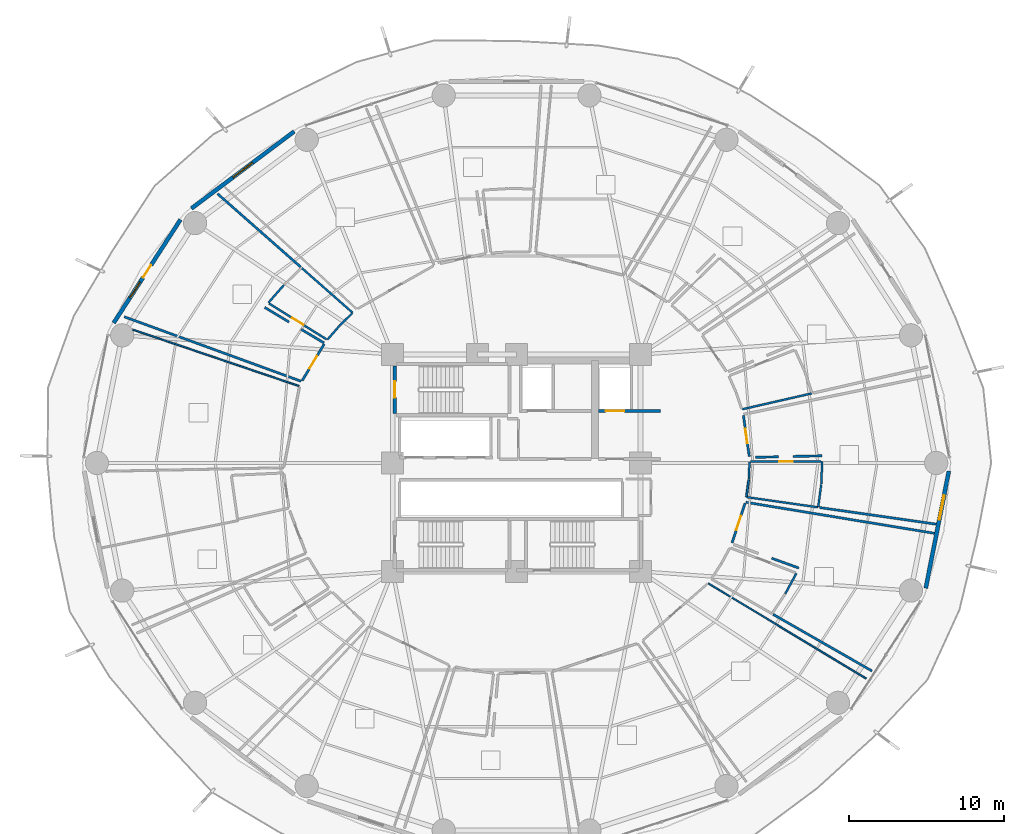
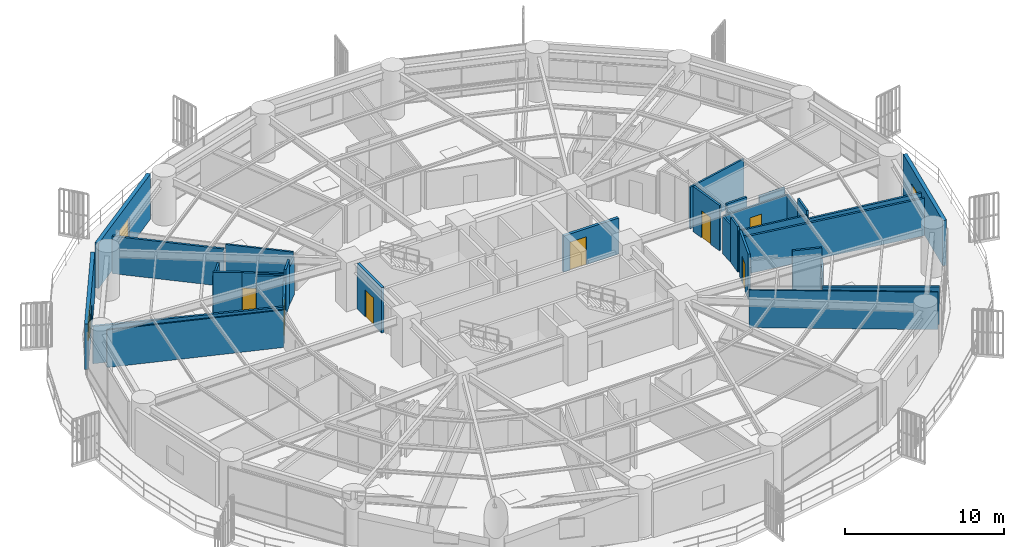
# One storey, part 26 of 34: 33 walls, 8 doors, 3 windows, 11 openings.
"""IFC4 building model written with IfcOpenShell, lengths in metres."""

import ifcopenshell
import ifcopenshell.guid

model = None  # the IFC model being written
_history = None  # IfcOwnerHistory: only IFC2X3 demands one
_inside = {}  # id of a spatial element -> (the spatial element, [elements in it])
_under = {}  # id of a project, library or spatial element -> (it, [spatial elements below it])
_declared = {}  # id of a project -> (the project, [libraries it declares])
_typed = {}  # id of a type object -> (the type object, [elements of that type])
_made_of = {}  # id of a material, layer set ... -> (it, [elements and type objects made of it])


def new_model(schema):
    """Start an empty IFC model of exactly this schema.

    Asked for "IFC4X3", IfcOpenShell would pick the latest addendum, in which some entities
    have other attributes; the version numbers below select the first issue.
    IFC2X3 requires an IfcOwnerHistory on every rooted entity: one is made here for all.
    """
    global model, _history
    if schema == "IFC4X3":
        model = ifcopenshell.file(schema_version=(4, 3, 0, 0))
    else:
        model = ifcopenshell.file(schema=schema)
    _inside.clear()
    _under.clear()
    _declared.clear()
    _typed.clear()
    _made_of.clear()
    _history = None
    if model.schema == "IFC2X3":
        org = make("IfcOrganization", Name="unknown")
        user = make(
            "IfcPersonAndOrganization",
            ThePerson=make("IfcPerson", FamilyName="unknown"),
            TheOrganization=org,
        )
        app = make(
            "IfcApplication",
            ApplicationDeveloper=org,
            Version="unknown",
            ApplicationFullName="unknown",
            ApplicationIdentifier="unknown",
        )
        _history = make(
            "IfcOwnerHistory",
            OwningUser=user,
            OwningApplication=app,
            ChangeAction="ADDED",
            CreationDate=0,
        )
    return model


def make(cls, **values):
    """One entity of the class cls with the attributes given. An attribute that is None is left unset."""
    return model.create_entity(
        cls, **{name: value for name, value in values.items() if value is not None}
    )


def rooted(cls, **values):
    """An entity with a GlobalId (a new one), such as an element, a storey or a relation."""
    return make(cls, GlobalId=ifcopenshell.guid.new(), OwnerHistory=_history, **values)


def si_unit(unit_type, name, prefix=None):
    """IfcSIUnit, for example si_unit("LENGTHUNIT", "METRE", prefix="MILLI")."""
    return make("IfcSIUnit", UnitType=unit_type, Prefix=prefix, Name=name)


def assignment(units):
    """IfcUnitAssignment: the units of a project."""
    return None if units is None else make("IfcUnitAssignment", Units=units)


def point(xyz):
    """IfcCartesianPoint."""
    return None if xyz is None else make("IfcCartesianPoint", Coordinates=xyz)


def direction(xyz):
    """IfcDirection."""
    return None if xyz is None else make("IfcDirection", DirectionRatios=xyz)


def frame(location, z_axis=None, x_axis=None):
    """IfcAxis2Placement3D, a coordinate frame: its origin and axes. An axis left out is left unset."""
    return make(
        "IfcAxis2Placement3D",
        Location=point(location),
        Axis=direction(z_axis),
        RefDirection=direction(x_axis),
    )


def frame_2d(location, x_axis=None):
    """IfcAxis2Placement2D, a coordinate frame in the plane: its origin and x axis."""
    return make(
        "IfcAxis2Placement2D", Location=point(location), RefDirection=direction(x_axis)
    )


def origin():
    """The frame at (0, 0, 0) with its axes left unset."""
    return frame((0.0, 0.0, 0.0))


def place(relative_to, where):
    """IfcLocalPlacement: puts the frame where relative to a parent placement (None: the world)."""
    return make(
        "IfcLocalPlacement", PlacementRelTo=relative_to, RelativePlacement=where
    )


def context(
    kind, dimensions, precision=None, world=None, true_north=None, identifier=None
):
    """IfcGeometricRepresentationContext, for example the 3D "Model" context."""
    return make(
        "IfcGeometricRepresentationContext",
        ContextIdentifier=identifier,
        ContextType=kind,
        CoordinateSpaceDimension=dimensions,
        Precision=precision,
        WorldCoordinateSystem=world,
        TrueNorth=true_north,
    )


def subcontext(parent, identifier, kind, view, scale=None):
    """IfcGeometricRepresentationSubContext, for example "Body" below "Model"."""
    return make(
        "IfcGeometricRepresentationSubContext",
        ContextIdentifier=identifier,
        ContextType=kind,
        ParentContext=parent,
        TargetScale=scale,
        TargetView=view,
    )


def project(units=None, contexts=None):
    """IfcProject with its units and contexts."""
    return rooted(
        "IfcProject",
        Name="project",
        RepresentationContexts=contexts,
        UnitsInContext=assignment(units),
    )


def spatial(cls, under=None, at=None, **own):
    """A site, building, storey or space (cls), placed at a placement, below another one or the project."""
    s = rooted(cls, ObjectPlacement=at, **own)
    if under is not None:
        _under.setdefault(under.id(), (under, []))[1].append(s)
    return s


def profile(cls, at=None, kind="AREA", **sizes):
    """A parametric profile (cls). Its sizes go by their IFC names, for example OverallWidth=200.0."""
    return make(cls, ProfileType=kind, Position=at, **sizes)


def rectangle(**sizes):
    """IfcRectangleProfileDef."""
    return profile("IfcRectangleProfileDef", **sizes)


def extrude(swept, where, along, depth):
    """IfcExtrudedAreaSolid: the profile swept, set in the frame where, extruded along a direction by depth."""
    return make(
        "IfcExtrudedAreaSolid",
        SweptArea=swept,
        Position=where,
        ExtrudedDirection=direction(along),
        Depth=depth,
    )


def shape(context_of_items, identifier, shape_type, items):
    """IfcShapeRepresentation: the items that make up one representation, for example the "Body"."""
    return make(
        "IfcShapeRepresentation",
        ContextOfItems=context_of_items,
        RepresentationIdentifier=identifier,
        RepresentationType=shape_type,
        Items=items,
    )


def material(Name=None, Category=None):
    """IfcMaterial."""
    return make("IfcMaterial", Name=Name, Category=Category)


def layer(
    of_material, thickness, ventilated=None, Name=None, Category=None, Priority=None
):
    """IfcMaterialLayer: one layer of a wall or slab, of a material (None: an air gap)."""
    return make(
        "IfcMaterialLayer",
        Material=of_material,
        LayerThickness=thickness,
        IsVentilated=ventilated,
        Name=Name,
        Category=Category,
        Priority=Priority,
    )


def layer_set(layers, Name=None):
    """IfcMaterialLayerSet."""
    return make("IfcMaterialLayerSet", MaterialLayers=layers, LayerSetName=Name)


def made_of(thing, what):
    """Note that an element or type object is made of a material, layer set ...; save() writes the relation."""
    if what is not None:
        _made_of.setdefault(what.id(), (what, []))[1].append(thing)
    return thing


def type_object(cls, material=None, **own):
    """A type object (cls), such as IfcWallType, which elements share."""
    return made_of(rooted(cls, **own), material)


def element(
    cls,
    number,
    at=None,
    inside=None,
    cuts=None,
    type_object=None,
    material=None,
    context=None,
    identifier="Body",
    shape_type=None,
    held_by="IfcProductDefinitionShape",
    body=None,
    shapes=None,
    **own,
):
    """One element of the class cls, such as IfcWall. Its Tag is "e" and its number.

    at: its placement. inside: the storey or other place that contains it. cuts: it is an
    opening in that element (IfcRelVoidsElement). A single representation is given by context,
    identifier, shape_type and body (its items); several are given by shapes. held_by: the class
    of the entity that holds the representations. save() writes the other relations.
    """
    e = rooted(cls, Tag="e%d" % number, ObjectPlacement=at, **own)
    if body is not None:
        shapes = [shape(context, identifier, shape_type, body)]
    if shapes is not None:
        e.Representation = make(held_by, Representations=shapes)
    if inside is not None:
        _inside.setdefault(inside.id(), (inside, []))[1].append(e)
    if cuts is not None:
        rooted(
            "IfcRelVoidsElement", RelatingBuildingElement=cuts, RelatedOpeningElement=e
        )
    if type_object is not None:
        _typed.setdefault(type_object.id(), (type_object, []))[1].append(e)
    return made_of(e, material)


def fill(opening, filler):
    """IfcRelFillsElement: the door or window that sits in an opening."""
    return rooted(
        "IfcRelFillsElement",
        RelatingOpeningElement=opening,
        RelatedBuildingElement=filler,
    )


def aggregate(whole, parts):
    """IfcRelAggregates: a whole, such as a stair, and the parts it consists of."""
    return rooted("IfcRelAggregates", RelatingObject=whole, RelatedObjects=parts)


def save(model, path):
    """Write the relations noted so far, then the file.

    IfcRelAggregates (storeys below a building ...), IfcRelContainedInSpatialStructure (elements
    in a storey), IfcRelDefinesByType, IfcRelAssociatesMaterial and IfcRelDeclares: one each for
    every whole, place, type object, material and project.
    """
    for whole, parts in _under.values():
        aggregate(whole, parts)
    for where, things in _inside.values():
        rooted(
            "IfcRelContainedInSpatialStructure",
            RelatedElements=things,
            RelatingStructure=where,
        )
    for kind, things in _typed.values():
        rooted("IfcRelDefinesByType", RelatedObjects=things, RelatingType=kind)
    for what, things in _made_of.values():
        rooted("IfcRelAssociatesMaterial", RelatedObjects=things, RelatingMaterial=what)
    for by, libraries in _declared.values():
        rooted("IfcRelDeclares", RelatingContext=by, RelatedDefinitions=libraries)
    model.write(path)


model = new_model("IFC4")

# Units and contexts
model_context = context("Model", 3, precision=1e-05, world=origin(), true_north=direction((0.0, 1.0)))
body_context = subcontext(model_context, "Body", "Model", "MODEL_VIEW")
ifc_project = project(units=[si_unit("LENGTHUNIT", "METRE"), si_unit("AREAUNIT", "SQUARE_METRE"), si_unit("VOLUMEUNIT", "CUBIC_METRE"), si_unit("PLANEANGLEUNIT", "RADIAN"), si_unit("MASSUNIT", "GRAM", prefix="KILO")], contexts=[model_context])

# Site, building, storey
site_placement = place(None, origin())
site = spatial("IfcSite", under=ifc_project, at=site_placement, CompositionType="ELEMENT")
building_placement = place(site_placement, origin())
building = spatial("IfcBuilding", under=site, at=building_placement, Name="Kelanora Arch Commons", CompositionType="ELEMENT")
storey_placement = place(building_placement, frame((0.0, 0.0, 33.75)))
storey = spatial("IfcBuildingStorey", under=building, at=storey_placement, Name="L08", CompositionType="ELEMENT", Elevation=33.75)

# Wall, opening, door
ifc_material_1 = material(Name="Autoclaved aerated concrete blockwork with fire plaster", Category="masonry")
ifc_layer_1 = layer(ifc_material_1, 0.14990234375)
ifc_layer_set_1 = layer_set([ifc_layer_1], Name="Autoclaved aerated concrete blockwork with fire plaster")
wall_type_1 = type_object("IfcWallType", Name="W-COMP-150", PredefinedType="PARTITIONING", material=ifc_layer_set_1)
wall_1_placement = place(storey_placement, frame((61.5830078125, 65.669677734375, 0.0), z_axis=(0.0, 0.0, 1.0), x_axis=(-0.515343511704, -0.85698370168, 0.0)))
wall_1 = element("IfcWall", 1, at=wall_1_placement, inside=storey, type_object=wall_type_1, Name="Co-Living Studio L08-06 Entry Partition", PredefinedType="PARTITIONING", context=body_context, shape_type="SweptSolid", body=[
    extrude(rectangle(XDim=2.751953125, YDim=0.14990234375, at=frame_2d((1.3759765625, 0.0))), origin(), (0.0, 0.0, 1.0), 2.875),
])
opening_1_placement = place(wall_1_placement, frame((0.90087890625, 0.0, 0.0)))
opening_1 = element("IfcOpeningElement", 2, at=opening_1_placement, cuts=wall_1, Name="Opening D-CLU1", PredefinedType="OPENING", context=body_context, shape_type="SweptSolid", body=[
    extrude(rectangle(XDim=0.949951171875, YDim=2.080078125, at=frame_2d((0.47509765625, 1.0400390625))), frame((0.0, 0.0849609375, 0.0), z_axis=(0.0, -1.0, 0.0), x_axis=(1.0, 0.0, 0.0)), (0.0, 0.0, 1.0), 0.169921875),
])
ifc_material_2 = material(Name="Solid-core acoustic timber cluster entry fire door", Category="wood")
door_type_1 = type_object("IfcDoorType", Name="D-CLU-95", OperationType="NOTDEFINED", PredefinedType="DOOR", material=ifc_material_2)
door_1_placement = place(opening_1_placement, origin())
door_1 = element("IfcDoor", 3, at=door_1_placement, inside=storey, type_object=door_type_1, Name="Co-Living Studio L08-06 Door", OperationType="SINGLE_SWING_LEFT", OverallHeight=2.080078125, OverallWidth=0.949951171875, PredefinedType="DOOR", context=body_context, shape_type="SweptSolid", body=[
    extrude(rectangle(XDim=0.949951171875, YDim=2.080078125, at=frame_2d((0.47509765625, 1.0400390625))), frame((0.0, 0.02490234375, 0.0), z_axis=(0.0, -1.0, 0.0), x_axis=(1.0, 0.0, 0.0)), (0.0, 0.0, 1.0), 0.050048828125),
])
fill(opening_1, door_1)

wall_2_placement = place(storey_placement, frame((87.90380859375, 52.840087890625, 0.0), z_axis=(0.0, 0.0, 1.0), x_axis=(0.312600839021, 0.949884580064, 0.0)))
wall_2 = element("IfcWall", 4, at=wall_2_placement, inside=storey, type_object=wall_type_1, Name="Co-Living Studio L08-14 Entry Partition", PredefinedType="PARTITIONING", context=body_context, shape_type="SweptSolid", body=[
    extrude(rectangle(XDim=2.707763671875, YDim=0.14990234375, at=frame_2d((1.35400390625, 0.0))), origin(), (0.0, 0.0, 1.0), 3.47998046875),
])
opening_2_placement = place(wall_2_placement, frame((0.87890625, 0.0, 0.0)))
opening_2 = element("IfcOpeningElement", 5, at=opening_2_placement, cuts=wall_2, Name="Opening D-CLU1", PredefinedType="OPENING", context=body_context, shape_type="SweptSolid", body=[
    extrude(rectangle(XDim=0.949951171875, YDim=2.080078125, at=frame_2d((0.47509765625, 1.0400390625))), frame((0.0, 0.0849609375, 0.0), z_axis=(0.0, -1.0, 0.0), x_axis=(1.0, 0.0, 0.0)), (0.0, 0.0, 1.0), 0.169921875),
])
door_2_placement = place(opening_2_placement, origin())
door_2 = element("IfcDoor", 6, at=door_2_placement, inside=storey, type_object=door_type_1, Name="Co-Living Studio L08-14 Door", OperationType="SINGLE_SWING_LEFT", OverallHeight=2.080078125, OverallWidth=0.949951171875, PredefinedType="DOOR", context=body_context, shape_type="SweptSolid", body=[
    extrude(rectangle(XDim=0.949951171875, YDim=2.080078125, at=frame_2d((0.47509765625, 1.0400390625))), frame((0.0, 0.02490234375, 0.0), z_axis=(0.0, -1.0, 0.0), x_axis=(1.0, 0.0, 0.0)), (0.0, 0.0, 1.0), 0.050048828125),
])
fill(opening_2, door_2)

wall_3_placement = place(storey_placement, frame((89.0166015625, 58.414306640625, 0.0), z_axis=(0.0, 0.0, 1.0), x_axis=(-0.141700939895, 0.989909512851, 0.0)))
wall_3 = element("IfcWall", 7, at=wall_3_placement, inside=storey, type_object=wall_type_1, Name="Co-Living Studio L08-15 Entry Partition", PredefinedType="PARTITIONING", context=body_context, shape_type="SweptSolid", body=[
    extrude(rectangle(XDim=2.689453125, YDim=0.14990234375, at=frame_2d((1.3447265625, 0.0))), origin(), (0.0, 0.0, 1.0), 3.47998046875),
])
opening_3_placement = place(wall_3_placement, frame((0.8701171875, 0.0, 0.0)))
opening_3 = element("IfcOpeningElement", 8, at=opening_3_placement, cuts=wall_3, Name="Opening D-CLU1", PredefinedType="OPENING", context=body_context, shape_type="SweptSolid", body=[
    extrude(rectangle(XDim=0.949951171875, YDim=2.080078125, at=frame_2d((0.47509765625, 1.0400390625))), frame((0.0, 0.0849609375, 0.0), z_axis=(0.0, -1.0, 0.0), x_axis=(1.0, 0.0, 0.0)), (0.0, 0.0, 1.0), 0.169921875),
])
door_3_placement = place(opening_3_placement, origin())
door_3 = element("IfcDoor", 9, at=door_3_placement, inside=storey, type_object=door_type_1, Name="Co-Living Studio L08-15 Door", OperationType="SINGLE_SWING_LEFT", OverallHeight=2.080078125, OverallWidth=0.949951171875, PredefinedType="DOOR", context=body_context, shape_type="SweptSolid", body=[
    extrude(rectangle(XDim=0.949951171875, YDim=2.080078125, at=frame_2d((0.47509765625, 1.0400390625))), frame((0.0, 0.02490234375, 0.0), z_axis=(0.0, -1.0, 0.0), x_axis=(1.0, 0.0, 0.0)), (0.0, 0.0, 1.0), 0.050048828125),
])
fill(opening_3, door_3)

# Walls
wall_4_placement = place(storey_placement, frame((60.096435546875, 63.273681640625, 0.0), z_axis=(0.0, 0.0, 1.0), x_axis=(-0.939512545551, 0.342514491304, 0.0)))
element("IfcWall", 10, at=wall_4_placement, inside=storey, type_object=wall_type_1, Name="Co-Living Studio L08-06 Enclosure Partition 2", PredefinedType="PARTITIONING", context=body_context, shape_type="SweptSolid", body=[
    extrude(rectangle(XDim=12.14453125, YDim=0.14990234375, at=frame_2d((6.072265625, 0.0))), origin(), (0.0, 0.0, 1.0), 2.875),
])
wall_5_placement = place(storey_placement, frame((54.700927734375, 75.37353515625, 0.0), z_axis=(0.0, 0.0, 1.0), x_axis=(0.750492781032, -0.660878646666, 0.0)))
element("IfcWall", 11, at=wall_5_placement, inside=storey, type_object=wall_type_1, Name="Co-Living Studio L08-06 Enclosure Partition 5", PredefinedType="PARTITIONING", context=body_context, shape_type="SweptSolid", body=[
    extrude(rectangle(XDim=7.154052734375, YDim=0.14990234375, at=frame_2d((3.5771484375, 0.0))), origin(), (0.0, 0.0, 1.0), 2.875),
])
wall_6_placement = place(storey_placement, frame((57.750244140625, 68.036376953125, 0.0), z_axis=(0.0, 0.0, 1.0), x_axis=(0.857787746423, -0.514004068161, 0.0)))
element("IfcWall", 12, at=wall_6_placement, inside=storey, type_object=wall_type_1, Name="Co-Living Studio L08-06 Enclosure Partition 7", PredefinedType="PARTITIONING", context=body_context, shape_type="SweptSolid", body=[
    extrude(rectangle(XDim=1.825927734375, YDim=0.14990234375, at=frame_2d((0.9130859375, 0.0))), origin(), (0.0, 0.0, 1.0), 3.47998046875),
])
wall_7_placement = place(storey_placement, frame((60.105712890625, 66.625, 0.0), z_axis=(0.0, 0.0, 1.0), x_axis=(0.8577560852, -0.514056901814, 0.0)))
element("IfcWall", 13, at=wall_7_placement, inside=storey, type_object=wall_type_1, Name="Co-Living Studio L08-06 Enclosure Partition 7", PredefinedType="PARTITIONING", context=body_context, shape_type="SweptSolid", body=[
    extrude(rectangle(XDim=1.71826171875, YDim=0.14990234375, at=frame_2d((0.859130859375, 0.0))), origin(), (0.0, 0.0, 1.0), 3.235107421875),
])
wall_8_placement = place(storey_placement, frame((88.80859375, 55.46240234375, 0.0), z_axis=(0.0, 0.0, 1.0), x_axis=(0.986716632482, -0.162450876217, 0.0)))
element("IfcWall", 14, at=wall_8_placement, inside=storey, type_object=wall_type_1, Name="Co-Living Studio L08-14 Enclosure Partition 2", PredefinedType="PARTITIONING", context=body_context, shape_type="SweptSolid", body=[
    extrude(rectangle(XDim=12.3173828125, YDim=0.14990234375, at=frame_2d((6.15869140625, 0.0))), origin(), (0.0, 0.0, 1.0), 2.875),
])
wall_9_placement = place(storey_placement, frame((96.933349609375, 44.579833984375, 0.0), z_axis=(0.0, 0.0, 1.0), x_axis=(-0.8678833592, 0.496768029188, 0.0)))
element("IfcWall", 15, at=wall_9_placement, inside=storey, type_object=wall_type_1, Name="Co-Living Studio L08-14 Enclosure Partition 5", PredefinedType="PARTITIONING", context=body_context, shape_type="SweptSolid", body=[
    extrude(rectangle(XDim=7.354248046875, YDim=0.14990234375, at=frame_2d((3.67724609375, 0.0))), origin(), (0.0, 0.0, 1.0), 2.875),
])
wall_10_placement = place(storey_placement, frame((92.218505859375, 51.218505859375, 0.0), z_axis=(0.0, 0.0, 1.0), x_axis=(-0.940607228955, 0.339496746433, 0.0)))
element("IfcWall", 16, at=wall_10_placement, inside=storey, type_object=wall_type_1, Name="Co-Living Studio L08-14 Enclosure Partition 7", PredefinedType="PARTITIONING", context=body_context, shape_type="SweptSolid", body=[
    extrude(rectangle(XDim=1.868408203125, YDim=0.14990234375, at=frame_2d((0.93408203125, 0.0))), origin(), (0.0, 0.0, 1.0), 3.47998046875),
])
wall_11_placement = place(storey_placement, frame((101.079345703125, 54.0498046875, 0.0), z_axis=(0.0, 0.0, 1.0), x_axis=(-0.989977686675, 0.141223864432, 0.0)))
element("IfcWall", 17, at=wall_11_placement, inside=storey, type_object=wall_type_1, Name="Co-Living Studio L08-15 Enclosure Partition 5", PredefinedType="PARTITIONING", context=body_context, shape_type="SweptSolid", body=[
    extrude(rectangle(XDim=7.615234375, YDim=0.14990234375, at=frame_2d((3.8076171875, 0.0))), origin(), (0.0, 0.0, 1.0), 2.875),
])
wall_12_placement = place(storey_placement, frame((93.714111328125, 58.462158203125, 0.0), z_axis=(0.0, 0.0, 1.0), x_axis=(-0.999738877823, -0.02285117435, 0.0)))
element("IfcWall", 18, at=wall_12_placement, inside=storey, type_object=wall_type_1, Name="Co-Living Studio L08-15 Enclosure Partition 7", PredefinedType="PARTITIONING", context=body_context, shape_type="SweptSolid", body=[
    extrude(rectangle(XDim=1.88037109375, YDim=0.14990234375, at=frame_2d((0.940185546875, 0.0))), origin(), (0.0, 0.0, 1.0), 3.175048828125),
])
wall_13_placement = place(storey_placement, frame((90.914306640625, 58.398193359375, 0.0), z_axis=(0.0, 0.0, 1.0), x_axis=(-0.999738792571, -0.022854903814, 0.0)))
element("IfcWall", 19, at=wall_13_placement, inside=storey, type_object=wall_type_1, Name="Co-Living Studio L08-15 Enclosure Partition 7", PredefinedType="PARTITIONING", context=body_context, shape_type="SweptSolid", body=[
    extrude(rectangle(XDim=1.49560546875, YDim=0.14990234375, at=frame_2d((0.747802734375, 0.0))), origin(), (0.0, 0.0, 1.0), 3.47998046875),
])

# Wall, opening, window
ifc_material_3 = material(Name="Precast concrete C40/50 with terracotta rainscreen", Category="masonry")
ifc_layer_2 = layer(ifc_material_3, 0.260009765625)
ifc_layer_set_2 = layer_set([ifc_layer_2], Name="Precast concrete C40/50 with terracotta rainscreen")
wall_type_2 = type_object("IfcWallType", Name="W-EXT-TC", PredefinedType="SOLIDWALL", material=ifc_layer_set_2)
wall_14_placement = place(storey_placement, frame((59.651123046875, 79.38916015625, 0.0), z_axis=(0.0, 0.0, 1.0), x_axis=(-0.80030733173, -0.599590005569, 0.0)))
wall_14 = element("IfcWall", 20, at=wall_14_placement, inside=storey, type_object=wall_type_2, Name="Terracotta Exterior Wall L08-B06", PredefinedType="SOLIDWALL", context=body_context, shape_type="SweptSolid", body=[
    extrude(rectangle(XDim=8.29052734375, YDim=0.260009765625, at=frame_2d((4.145263671875, 0.0))), origin(), (0.0, 0.0, 1.0), 3.47509765625),
])
opening_4_placement = place(wall_14_placement, frame((3.344970703125, 0.0, 0.85009765625)))
opening_4 = element("IfcOpeningElement", 21, at=opening_4_placement, cuts=wall_14, Name="Opening WN-01", PredefinedType="OPENING", context=body_context, shape_type="SweptSolid", body=[
    extrude(rectangle(XDim=1.60009765625, YDim=1.449951171875, at=frame_2d((0.800048828125, 0.72509765625))), frame((0.0, 0.14013671875, 0.0), z_axis=(0.0, -1.0, 0.0), x_axis=(1.0, 0.0, 0.0)), (0.0, 0.0, 1.0), 0.280029296875),
])
ifc_material_4 = material(Name="Terracotta-anodised aluminium frame with operable low-E glazing", Category="masonry")
window_type_1 = type_object("IfcWindowType", Name="WIN-CL-18", PartitioningType="DOUBLE_PANEL_VERTICAL", PredefinedType="WINDOW", material=ifc_material_4)
window_1_placement = place(opening_4_placement, origin())
window_1 = element("IfcWindow", 22, at=window_1_placement, inside=storey, type_object=window_type_1, Name="Co-Living Operable Window L08-B06", OverallHeight=1.449951171875, OverallWidth=1.60009765625, PartitioningType="SINGLE_PANEL", PredefinedType="WINDOW", context=body_context, shape_type="SweptSolid", body=[
    extrude(rectangle(XDim=1.60009765625, YDim=1.449951171875, at=frame_2d((0.800048828125, 0.72509765625))), frame((0.0, 0.030029296875, 0.0), z_axis=(0.0, -1.0, 0.0), x_axis=(1.0, 0.0, 0.0)), (0.0, 0.0, 1.0), 0.06005859375),
])
fill(opening_4, window_1)

# Wall, openings, door, window
wall_15_placement = place(storey_placement, frame((52.310791015625, 73.698486328125, 0.0), z_axis=(0.0, 0.0, 1.0), x_axis=(-0.543005114258, -0.839729388488, 0.0)))
wall_15 = element("IfcWall", 23, at=wall_15_placement, inside=storey, type_object=wall_type_2, Name="Terracotta Exterior Wall L08-B07", PredefinedType="SOLIDWALL", context=body_context, shape_type="SweptSolid", body=[
    extrude(rectangle(XDim=7.9375, YDim=0.260009765625, at=frame_2d((3.96875, 0.0))), origin(), (0.0, 0.0, 1.0), 3.47509765625),
])
opening_5_placement = place(wall_15_placement, frame((3.493896484375, 0.0, 0.0)))
opening_5 = element("IfcOpeningElement", 24, at=opening_5_placement, cuts=wall_15, Name="Opening DB-01", PredefinedType="OPENING", context=body_context, shape_type="SweptSolid", body=[
    extrude(rectangle(XDim=0.949951171875, YDim=2.10009765625, at=frame_2d((0.47509765625, 1.050048828125))), frame((0.0, 0.14013671875, 0.0), z_axis=(0.0, -1.0, 0.0), x_axis=(1.0, 0.0, 0.0)), (0.0, 0.0, 1.0), 0.280029296875),
])
opening_6_placement = place(wall_15_placement, frame((4.7939453125, 0.0, 0.85009765625)))
opening_6 = element("IfcOpeningElement", 25, at=opening_6_placement, cuts=wall_15, Name="Opening WN-02", PredefinedType="OPENING", context=body_context, shape_type="SweptSolid", body=[
    extrude(rectangle(XDim=1.199951171875, YDim=1.449951171875, at=frame_2d((0.60009765625, 0.72509765625))), frame((0.0, 0.14013671875, 0.0), z_axis=(0.0, -1.0, 0.0), x_axis=(1.0, 0.0, 0.0)), (0.0, 0.0, 1.0), 0.280029296875),
])
ifc_material_5 = material(Name="Terracotta-aluminium thermally broken glazed balcony door", Category="masonry")
door_type_2 = type_object("IfcDoorType", Name="D-BAL-10", OperationType="NOTDEFINED", PredefinedType="DOOR", material=ifc_material_5)
door_4_placement = place(opening_5_placement, frame((0.949951171875, 0.0, 0.0), z_axis=(0.0, 0.0, 1.0), x_axis=(-1.0, 0.0, 0.0)))
door_4 = element("IfcDoor", 26, at=door_4_placement, inside=storey, type_object=door_type_2, Name="Wave Balcony Door L08-B07", OperationType="SINGLE_SWING_RIGHT", OverallHeight=2.10009765625, OverallWidth=0.949951171875, PredefinedType="DOOR", context=body_context, shape_type="SweptSolid", body=[
    extrude(rectangle(XDim=0.949951171875, YDim=2.10009765625, at=frame_2d((0.47509765625, 1.050048828125))), frame((0.0, 0.02490234375, 0.0), z_axis=(0.0, -1.0, 0.0), x_axis=(1.0, 0.0, 0.0)), (0.0, 0.0, 1.0), 0.050048828125),
])
fill(opening_5, door_4)
ifc_material_6 = material(Name="Terracotta-anodised aluminium frame with operable awning sash", Category="masonry")
window_type_2 = type_object("IfcWindowType", Name="WIN-CL-12", PartitioningType="SINGLE_PANEL", PredefinedType="WINDOW", material=ifc_material_6)
window_2_placement = place(opening_6_placement, origin())
window_2 = element("IfcWindow", 27, at=window_2_placement, inside=storey, type_object=window_type_2, Name="Co-Living Operable Window L08-B07", OverallHeight=1.449951171875, OverallWidth=1.199951171875, PartitioningType="SINGLE_PANEL", PredefinedType="WINDOW", context=body_context, shape_type="SweptSolid", body=[
    extrude(rectangle(XDim=1.199951171875, YDim=1.449951171875, at=frame_2d((0.60009765625, 0.72509765625))), frame((0.0, 0.030029296875, 0.0), z_axis=(0.0, -1.0, 0.0), x_axis=(1.0, 0.0, 0.0)), (0.0, 0.0, 1.0), 0.06005859375),
])
fill(opening_6, window_2)

# Wall, opening, window
wall_16_placement = place(storey_placement, frame((100.404296875, 49.919921875, 0.0), z_axis=(0.0, 0.0, 1.0), x_axis=(0.193726159581, 0.98105564322, 0.0)))
wall_16 = element("IfcWall", 28, at=wall_16_placement, inside=storey, type_object=wall_type_2, Name="Terracotta Exterior Wall L08-B17", PredefinedType="SOLIDWALL", context=body_context, shape_type="SweptSolid", body=[
    extrude(rectangle(XDim=7.70263671875, YDim=0.260009765625, at=frame_2d((3.851318359375, 0.0))), origin(), (0.0, 0.0, 1.0), 3.47509765625),
])
opening_7_placement = place(wall_16_placement, frame((4.490966796875, 0.0, 0.85009765625)))
opening_7 = element("IfcOpeningElement", 29, at=opening_7_placement, cuts=wall_16, Name="Opening WN-01", PredefinedType="OPENING", context=body_context, shape_type="SweptSolid", body=[
    extrude(rectangle(XDim=1.60009765625, YDim=1.449951171875, at=frame_2d((0.800048828125, 0.72509765625))), frame((0.0, 0.14013671875, 0.0), z_axis=(0.0, -1.0, 0.0), x_axis=(1.0, 0.0, 0.0)), (0.0, 0.0, 1.0), 0.280029296875),
])
window_3_placement = place(opening_7_placement, origin())
window_3 = element("IfcWindow", 30, at=window_3_placement, inside=storey, type_object=window_type_1, Name="Co-Living Operable Window L08-B17", OverallHeight=1.449951171875, OverallWidth=1.60009765625, PartitioningType="SINGLE_PANEL", PredefinedType="WINDOW", context=body_context, shape_type="SweptSolid", body=[
    extrude(rectangle(XDim=1.60009765625, YDim=1.449951171875, at=frame_2d((0.800048828125, 0.72509765625))), frame((0.0, 0.030029296875, 0.0), z_axis=(0.0, -1.0, 0.0), x_axis=(1.0, 0.0, 0.0)), (0.0, 0.0, 1.0), 0.06005859375),
])
fill(opening_7, window_3)

# Wall, opening, door
ifc_material_7 = material(Name="Concrete C40/50", Category="concrete")
ifc_layer_3 = layer(ifc_material_7, 0.199951171875)
ifc_layer_set_3 = layer_set([ifc_layer_3], Name="Concrete C40/50")
wall_type_3 = type_object("IfcWallType", Name="W-FFL-200", PredefinedType="SOLIDWALL", material=ifc_layer_set_3)
wall_17_placement = place(storey_placement, frame((79.300048828125, 61.35009765625, 0.0), z_axis=(0.0, 0.0, 1.0), x_axis=(1.0, 0.0, 0.0)))
wall_17 = element("IfcWall", 31, at=wall_17_placement, inside=storey, type_object=wall_type_3, Name="Firefighting Lift 2 Shaft Front L08", PredefinedType="SOLIDWALL", context=body_context, shape_type="SweptSolid", body=[
    extrude(rectangle(XDim=4.0, YDim=0.199951171875, at=frame_2d((2.0, 0.0))), origin(), (0.0, 0.0, 1.0), 2.77490234375),
])
opening_8_placement = place(wall_17_placement, frame((0.449951171875, 0.0, 0.0)))
opening_8 = element("IfcOpeningElement", 32, at=opening_8_placement, cuts=wall_17, Name="Opening LD-FF", PredefinedType="OPENING", context=body_context, shape_type="SweptSolid", body=[
    extrude(rectangle(XDim=1.199951171875, YDim=2.14990234375, at=frame_2d((0.60009765625, 1.074951171875))), frame((0.0, 0.10986328125, 0.0), z_axis=(0.0, -1.0, 0.0), x_axis=(1.0, 0.0, 0.0)), (0.0, 0.0, 1.0), 0.219970703125),
])
ifc_material_8 = material(Name="Fire-rated firefighters lift sliding landing door")
door_type_3 = type_object("IfcDoorType", Name="D-LIFT-FF", OperationType="NOTDEFINED", PredefinedType="DOOR", material=ifc_material_8)
door_5_placement = place(opening_8_placement, origin())
door_5 = element("IfcDoor", 33, at=door_5_placement, inside=storey, type_object=door_type_3, Name="Firefighting Lift LF-FF2 Landing Door L08", OperationType="DOUBLE_DOOR_SLIDING", OverallHeight=2.14990234375, OverallWidth=1.199951171875, PredefinedType="DOOR", context=body_context, shape_type="SweptSolid", body=[
    extrude(rectangle(XDim=1.199951171875, YDim=2.14990234375, at=frame_2d((0.60009765625, 1.074951171875))), frame((0.0, 0.02490234375, 0.0), z_axis=(0.0, -1.0, 0.0), x_axis=(1.0, 0.0, 0.0)), (0.0, 0.0, 1.0), 0.050048828125),
])
fill(opening_8, door_5)

# Walls
ifc_material_9 = material(Name="Lightweight fire-rated acoustic stud partition")
ifc_layer_4 = layer(ifc_material_9, 0.10009765625)
ifc_layer_set_4 = layer_set([ifc_layer_4], Name="Lightweight fire-rated acoustic stud partition")
wall_type_4 = type_object("IfcWallType", Name="W-PART-100", PredefinedType="PARTITIONING", material=ifc_layer_set_4)
wall_18_placement = place(storey_placement, frame((49.23291015625, 66.60791015625, 0.0), z_axis=(0.0, 0.0, 1.0), x_axis=(0.946848647549, -0.321679403499, 0.0)))
element("IfcWall", 34, at=wall_18_placement, inside=storey, type_object=wall_type_4, Name="Quiet Seminar Study Room L08-07 Enclosure Partition 4", PredefinedType="PARTITIONING", context=body_context, shape_type="SweptSolid", body=[
    extrude(rectangle(XDim=11.328125, YDim=0.10009765625, at=frame_2d((5.6640625, 0.0))), origin(), (0.0, 0.0, 1.0), 2.875),
])
wall_19_placement = place(storey_placement, frame((86.39111328125, 50.22021484375, 0.0), z_axis=(0.0, 0.0, 1.0), x_axis=(0.856195030458, -0.516652755551, 0.0)))
element("IfcWall", 35, at=wall_19_placement, inside=storey, type_object=wall_type_4, Name="Quiet Seminar Study Room L08-13 Enclosure Partition 2", PredefinedType="PARTITIONING", context=body_context, shape_type="SweptSolid", body=[
    extrude(rectangle(XDim=11.87548828125, YDim=0.10009765625, at=frame_2d((5.937744140625, 0.0))), origin(), (0.0, 0.0, 1.0), 2.875),
])

# Wall, opening, door
ifc_layer_5 = layer(ifc_material_7, 0.199951171875)
ifc_layer_set_5 = layer_set([ifc_layer_5], Name="Concrete C40/50")
wall_type_5 = type_object("IfcWallType", Name="W-STAIR-200", PredefinedType="SHEAR", material=ifc_layer_set_5)
wall_20_placement = place(storey_placement, frame((66.139892578125, 64.27001953125, 0.0), z_axis=(0.0, 0.0, 1.0), x_axis=(0.0, -1.0, 0.0)))
wall_20 = element("IfcWall", 36, at=wall_20_placement, inside=storey, type_object=wall_type_5, Name="Stair ST-T1 Shaft Wall W L08", PredefinedType="SHEAR", context=body_context, shape_type="SweptSolid", body=[
    extrude(rectangle(XDim=3.070068359375, YDim=0.199951171875, at=frame_2d((1.53515625, 0.0))), origin(), (0.0, 0.0, 1.0), 3.489990234375),
])
opening_9_placement = place(wall_20_placement, frame((1.010009765625, 0.0, 0.0)))
opening_9 = element("IfcOpeningElement", 37, at=opening_9_placement, cuts=wall_20, Name="Opening D-ST1", PredefinedType="OPENING", context=body_context, shape_type="SweptSolid", body=[
    extrude(rectangle(XDim=1.050048828125, YDim=2.10009765625, at=frame_2d((0.52490234375, 1.050048828125))), frame((0.0, 0.10986328125, 0.0), z_axis=(0.0, -1.0, 0.0), x_axis=(1.0, 0.0, 0.0)), (0.0, 0.0, 1.0), 0.219970703125),
])
ifc_material_10 = material(Name="Steel fire-rated stairwell escape door", Category="steel")
door_type_4 = type_object("IfcDoorType", Name="D-STAIR-110", OperationType="NOTDEFINED", PredefinedType="DOOR", material=ifc_material_10)
door_6_placement = place(opening_9_placement, origin())
door_6 = element("IfcDoor", 38, at=door_6_placement, inside=storey, type_object=door_type_4, Name="Stair ST-T1 Escape Door L08", OperationType="SINGLE_SWING_LEFT", OverallHeight=2.10009765625, OverallWidth=1.050048828125, PredefinedType="DOOR", context=body_context, shape_type="SweptSolid", body=[
    extrude(rectangle(XDim=1.050048828125, YDim=2.10009765625, at=frame_2d((0.52490234375, 1.050048828125))), frame((0.0, 0.02490234375, 0.0), z_axis=(0.0, -1.0, 0.0), x_axis=(1.0, 0.0, 0.0)), (0.0, 0.0, 1.0), 0.050048828125),
])
fill(opening_9, door_6)

ifc_material_11 = material(Name="Moisture-resistant fire-rated cement-board plumbing wall")
ifc_layer_6 = layer(ifc_material_11, 0.1298828125)
ifc_layer_set_6 = layer_set([ifc_layer_6], Name="Moisture-resistant fire-rated cement-board plumbing wall")
wall_type_6 = type_object("IfcWallType", Name="W-WET-120", PredefinedType="PLUMBINGWALL", material=ifc_layer_set_6)
wall_21_placement = place(storey_placement, frame((61.737060546875, 65.976806640625, 0.0), z_axis=(0.0, 0.0, 1.0), x_axis=(-0.848252205707, 0.529592480605, 0.0)))
wall_21 = element("IfcWall", 39, at=wall_21_placement, inside=storey, type_object=wall_type_6, Name="En-Suite Shower WC L08-06 Entry Partition", PredefinedType="PLUMBINGWALL", context=body_context, shape_type="SweptSolid", body=[
    extrude(rectangle(XDim=4.3740234375, YDim=0.1298828125, at=frame_2d((2.18701171875, 0.0))), origin(), (0.0, 0.0, 1.0), 3.235107421875),
])
opening_10_placement = place(wall_21_placement, frame((1.757080078125, 0.0, 0.0)))
opening_10 = element("IfcOpeningElement", 40, at=opening_10_placement, cuts=wall_21, Name="Opening D-BT1", PredefinedType="OPENING", context=body_context, shape_type="SweptSolid", body=[
    extrude(rectangle(XDim=0.860107421875, YDim=2.050048828125, at=frame_2d((0.43017578125, 1.02490234375))), frame((0.0, 0.074951171875, 0.0), z_axis=(0.0, -1.0, 0.0), x_axis=(1.0, 0.0, 0.0)), (0.0, 0.0, 1.0), 0.14990234375),
])
ifc_material_12 = material(Name="Moisture-sealed fire-rated accessible bathroom door")
door_type_5 = type_object("IfcDoorType", Name="D-BATH-85", OperationType="NOTDEFINED", PredefinedType="DOOR", material=ifc_material_12)
door_7_placement = place(opening_10_placement, origin())
door_7 = element("IfcDoor", 41, at=door_7_placement, inside=storey, type_object=door_type_5, Name="En-Suite Shower WC L08-06 Door", OperationType="SINGLE_SWING_RIGHT", OverallHeight=2.050048828125, OverallWidth=0.860107421875, PredefinedType="DOOR", context=body_context, shape_type="SweptSolid", body=[
    extrude(rectangle(XDim=0.860107421875, YDim=2.050048828125, at=frame_2d((0.43017578125, 1.02490234375))), frame((0.0, 0.02490234375, 0.0), z_axis=(0.0, -1.0, 0.0), x_axis=(1.0, 0.0, 0.0)), (0.0, 0.0, 1.0), 0.050048828125),
])
fill(opening_10, door_7)

wall_22_placement = place(storey_placement, frame((89.090087890625, 58.082275390625, 0.0), z_axis=(0.0, 0.0, 1.0), x_axis=(0.999986853825, 0.005127589892, 0.0)))
wall_22 = element("IfcWall", 42, at=wall_22_placement, inside=storey, type_object=wall_type_6, Name="En-Suite Shower WC L08-15 Entry Partition", PredefinedType="PLUMBINGWALL", context=body_context, shape_type="SweptSolid", body=[
    extrude(rectangle(XDim=4.57080078125, YDim=0.1298828125, at=frame_2d((2.285400390625, 0.0))), origin(), (0.0, 0.0, 1.0), 2.875),
])
opening_11_placement = place(wall_22_placement, frame((1.85595703125, 0.0, 0.0)))
opening_11 = element("IfcOpeningElement", 43, at=opening_11_placement, cuts=wall_22, Name="Opening D-BT1", PredefinedType="OPENING", context=body_context, shape_type="SweptSolid", body=[
    extrude(rectangle(XDim=0.860107421875, YDim=2.050048828125, at=frame_2d((0.43017578125, 1.02490234375))), frame((0.0, 0.074951171875, 0.0), z_axis=(0.0, -1.0, 0.0), x_axis=(1.0, 0.0, 0.0)), (0.0, 0.0, 1.0), 0.14990234375),
])
door_8_placement = place(opening_11_placement, origin())
door_8 = element("IfcDoor", 44, at=door_8_placement, inside=storey, type_object=door_type_5, Name="En-Suite Shower WC L08-15 Door", OperationType="SINGLE_SWING_RIGHT", OverallHeight=2.050048828125, OverallWidth=0.860107421875, PredefinedType="DOOR", context=body_context, shape_type="SweptSolid", body=[
    extrude(rectangle(XDim=0.860107421875, YDim=2.050048828125, at=frame_2d((0.43017578125, 1.02490234375))), frame((0.0, 0.02490234375, 0.0), z_axis=(0.0, -1.0, 0.0), x_axis=(1.0, 0.0, 0.0)), (0.0, 0.0, 1.0), 0.050048828125),
])
fill(opening_11, door_8)

# Walls
wall_23_placement = place(storey_placement, frame((93.055419921875, 62.490478515625, 0.0), z_axis=(0.0, 0.0, 1.0), x_axis=(-0.974904137442, -0.222625072259, 0.0)))
element("IfcWall", 45, at=wall_23_placement, inside=storey, type_object=wall_type_6, Name="En-Suite Shower WC L08-01 Enclosure Partition 6", PredefinedType="PLUMBINGWALL", context=body_context, shape_type="SweptSolid", body=[
    extrude(rectangle(XDim=4.613525390625, YDim=0.1298828125, at=frame_2d((2.306640625, 0.0))), origin(), (0.0, 0.0, 1.0), 3.175048828125),
])
wall_24_placement = place(storey_placement, frame((63.413818359375, 67.674072265625, 0.0), z_axis=(0.0, 0.0, 1.0), x_axis=(-0.715868961368, -0.698234652642, 0.0)))
element("IfcWall", 46, at=wall_24_placement, inside=storey, type_object=wall_type_6, Name="En-Suite Shower WC L08-06 Enclosure Partition 1", PredefinedType="PLUMBINGWALL", context=body_context, shape_type="SweptSolid", body=[
    extrude(rectangle(XDim=1.162841796875, YDim=0.1298828125, at=frame_2d((0.58154296875, 0.0))), origin(), (0.0, 0.0, 1.0), 2.875),
])
wall_25_placement = place(storey_placement, frame((62.553955078125, 66.8330078125, 0.0), z_axis=(0.0, 0.0, 1.0), x_axis=(-0.6531951623, -0.757189593133, 0.0)))
element("IfcWall", 47, at=wall_25_placement, inside=storey, type_object=wall_type_6, Name="En-Suite Shower WC L08-06 Enclosure Partition 2", PredefinedType="PLUMBINGWALL", context=body_context, shape_type="SweptSolid", body=[
    extrude(rectangle(XDim=1.152587890625, YDim=0.1298828125, at=frame_2d((0.576171875, 0.0))), origin(), (0.0, 0.0, 1.0), 3.47998046875),
])
wall_26_placement = place(storey_placement, frame((57.989013671875, 68.340087890625, 0.0), z_axis=(0.0, 0.0, 1.0), x_axis=(0.657010944672, 0.75388103742, 0.0)))
element("IfcWall", 48, at=wall_26_placement, inside=storey, type_object=wall_type_6, Name="En-Suite Shower WC L08-06 Enclosure Partition 4", PredefinedType="PLUMBINGWALL", context=body_context, shape_type="SweptSolid", body=[
    extrude(rectangle(XDim=1.517333984375, YDim=0.1298828125, at=frame_2d((0.7587890625, 0.0))), origin(), (0.0, 0.0, 1.0), 2.875),
])
wall_27_placement = place(storey_placement, frame((60.14306640625, 70.576904296875, 0.0), z_axis=(0.0, 0.0, 1.0), x_axis=(0.750928130077, -0.660383936403, 0.0)))
element("IfcWall", 49, at=wall_27_placement, inside=storey, type_object=wall_type_6, Name="En-Suite Shower WC L08-06 Enclosure Partition 6", PredefinedType="PLUMBINGWALL", context=body_context, shape_type="SweptSolid", body=[
    extrude(rectangle(XDim=4.354736328125, YDim=0.1298828125, at=frame_2d((2.17724609375, 0.0))), origin(), (0.0, 0.0, 1.0), 3.235107421875),
])
wall_28_placement = place(storey_placement, frame((92.054443359375, 50.87548828125, 0.0), z_axis=(0.0, 0.0, 1.0), x_axis=(-0.47818376891, -0.878259803903, 0.0)))
element("IfcWall", 50, at=wall_28_placement, inside=storey, type_object=wall_type_6, Name="En-Suite Shower WC L08-14 Enclosure Partition 4", PredefinedType="PLUMBINGWALL", context=body_context, shape_type="SweptSolid", body=[
    extrude(rectangle(XDim=1.484619140625, YDim=0.1298828125, at=frame_2d((0.7421875, 0.0))), origin(), (0.0, 0.0, 1.0), 2.875),
])
wall_29_placement = place(storey_placement, frame((88.834716796875, 55.81689453125, 0.0), z_axis=(0.0, 0.0, 1.0), x_axis=(0.132293485363, 0.991210590001, 0.0)))
element("IfcWall", 51, at=wall_29_placement, inside=storey, type_object=wall_type_6, Name="En-Suite Shower WC L08-15 Enclosure Partition 1", PredefinedType="PLUMBINGWALL", context=body_context, shape_type="SweptSolid", body=[
    extrude(rectangle(XDim=1.109130859375, YDim=0.1298828125, at=frame_2d((0.5546875, 0.0))), origin(), (0.0, 0.0, 1.0), 3.47998046875),
])
wall_30_placement = place(storey_placement, frame((88.98486328125, 56.9560546875, 0.0), z_axis=(0.0, 0.0, 1.0), x_axis=(0.040144213929, 0.999193896142, 0.0)))
element("IfcWall", 52, at=wall_30_placement, inside=storey, type_object=wall_type_6, Name="En-Suite Shower WC L08-15 Enclosure Partition 2", PredefinedType="PLUMBINGWALL", context=body_context, shape_type="SweptSolid", body=[
    extrude(rectangle(XDim=1.10693359375, YDim=0.1298828125, at=frame_2d((0.553466796875, 0.0))), origin(), (0.0, 0.0, 1.0), 2.875),
])
wall_31_placement = place(storey_placement, frame((93.72021484375, 58.0859375, 0.0), z_axis=(0.0, 0.0, 1.0), x_axis=(-0.040236975473, -0.999190164986, 0.0)))
element("IfcWall", 53, at=wall_31_placement, inside=storey, type_object=wall_type_6, Name="En-Suite Shower WC L08-15 Enclosure Partition 4", PredefinedType="PLUMBINGWALL", context=body_context, shape_type="SweptSolid", body=[
    extrude(rectangle(XDim=1.4501953125, YDim=0.1298828125, at=frame_2d((0.72509765625, 0.0))), origin(), (0.0, 0.0, 1.0), 2.875),
])
wall_32_placement = place(storey_placement, frame((93.658203125, 56.59716796875, 0.0), z_axis=(0.0, 0.0, 1.0), x_axis=(-0.13329771049, -0.991076041673, 0.0)))
element("IfcWall", 54, at=wall_32_placement, inside=storey, type_object=wall_type_6, Name="En-Suite Shower WC L08-15 Enclosure Partition 5", PredefinedType="PLUMBINGWALL", context=body_context, shape_type="SweptSolid", body=[
    extrude(rectangle(XDim=1.452392578125, YDim=0.1298828125, at=frame_2d((0.72607421875, 0.0))), origin(), (0.0, 0.0, 1.0), 3.47998046875),
])
wall_33_placement = place(storey_placement, frame((93.442138671875, 55.140869140625, 0.0), z_axis=(0.0, 0.0, 1.0), x_axis=(-0.990023076451, 0.140905316061, 0.0)))
element("IfcWall", 55, at=wall_33_placement, inside=storey, type_object=wall_type_6, Name="En-Suite Shower WC L08-15 Enclosure Partition 6", PredefinedType="PLUMBINGWALL", context=body_context, shape_type="SweptSolid", body=[
    extrude(rectangle(XDim=4.636474609375, YDim=0.1298828125, at=frame_2d((2.318359375, 0.0))), origin(), (0.0, 0.0, 1.0), 3.175048828125),
])

save(model, "model.ifc")
